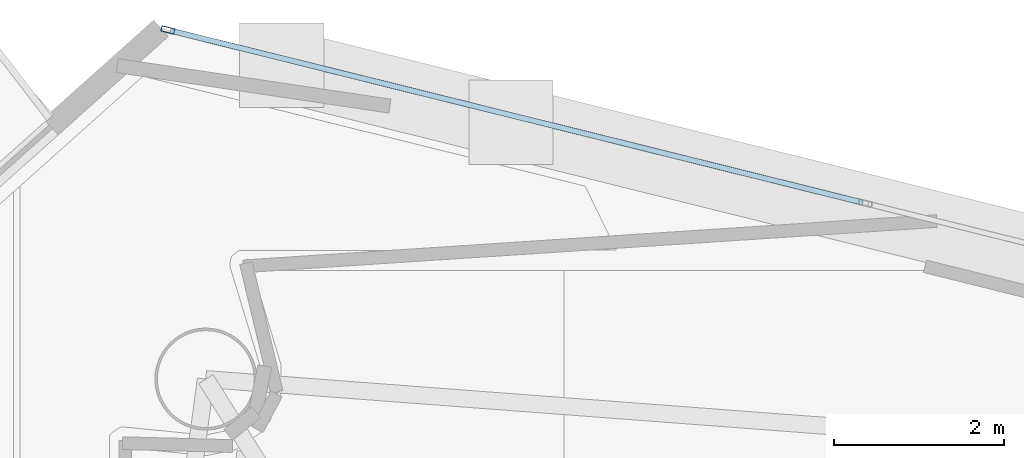
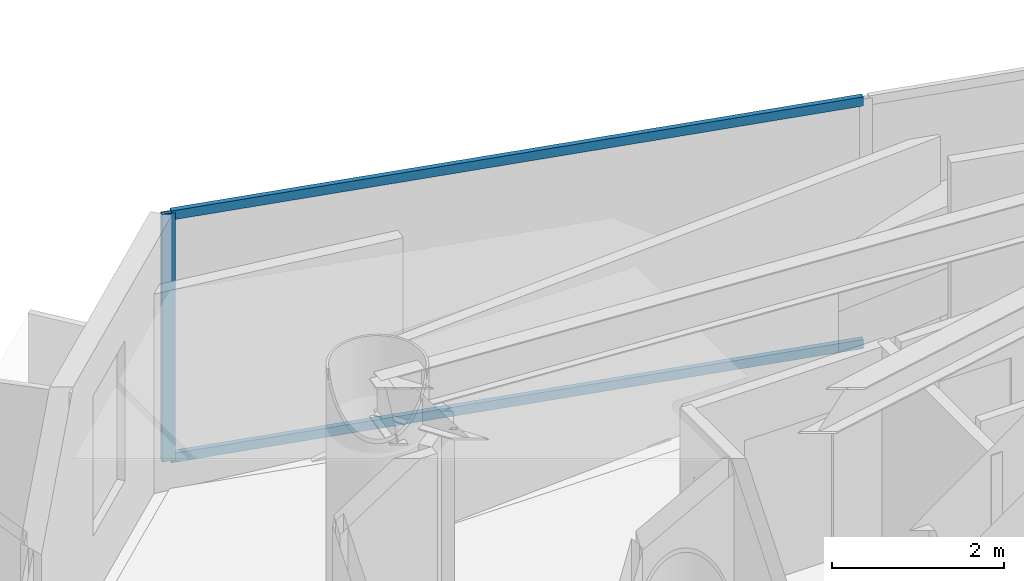
# One storey, part 17 of 23: 3 members, 1 element without a shape of its own.
"""IFC4 building model written with IfcOpenShell, lengths in metres."""

from ifc_helpers import new_model, si_unit, direction, frame, origin, origin_2d, place, context, subcontext, project, spatial, hollow_rectangle, extrude, material, layer, layer_set, material_profile, profile_set, type_object, element, aggregate, save


model = new_model("IFC4")

# Units and contexts
model_context = context("Model", 3, precision=1e-05, world=origin(), true_north=direction((0.0, 1.0)))
body_context = subcontext(model_context, "Body", "Model", "MODEL_VIEW")
ifc_project = project(units=[si_unit("LENGTHUNIT", "METRE"), si_unit("AREAUNIT", "SQUARE_METRE"), si_unit("VOLUMEUNIT", "CUBIC_METRE"), si_unit("PLANEANGLEUNIT", "RADIAN"), si_unit("MASSUNIT", "GRAM", prefix="KILO")], contexts=[model_context])

# Site, building, storey
site_placement = place(None, origin())
site = spatial("IfcSite", under=ifc_project, at=site_placement, CompositionType="ELEMENT")
building_placement = place(site_placement, origin())
building = spatial("IfcBuilding", under=site, at=building_placement, Name="Qianvela Tower", CompositionType="ELEMENT")
storey_placement = place(building_placement, frame((0.0, 0.0, 192.89990234375)))
storey = spatial("IfcBuildingStorey", under=building, at=storey_placement, Name="L49", CompositionType="ELEMENT", Elevation=192.89990234375)

# Curtain wall, members
ifc_material_1 = material(Name="Anodised Architectural Aluminium and Insulated Spandrel Panel", Category="aluminium")
ifc_layer = layer(ifc_material_1, 0.179931640625)
ifc_layer_set = layer_set([ifc_layer], Name="Anodised Architectural Aluminium and Insulated Spandrel Panel")
curtain_wall_type = type_object("IfcCurtainWallType", Name="CW-BRACEBAY", PredefinedType="USERDEFINED", material=ifc_layer_set)
curtain_wall_placement = place(storey_placement, origin())
curtain_wall = element("IfcCurtainWall", 1, at=curtain_wall_placement, inside=storey, type_object=curtain_wall_type, Name="L49 CW-BRACEBAY Curtain Wall 02B", ObjectType="CURTAIN_WALL_SYSTEM", PredefinedType="USERDEFINED")
ifc_material_2 = material(Name="Anodised Architectural Aluminium 6063-T6", Category="aluminium")
ifc_material_profile_1 = material_profile(ifc_material_2, hollow_rectangle(XDim=0.06494140625, YDim=0.159912109375, WallThickness=0.0048828125, at=origin_2d()), Name="ALU-MULL-65x160")
ifc_profile_set_1 = profile_set([ifc_material_profile_1], Name="Anodised Architectural Aluminium 6063-T6")
member_type_1 = type_object("IfcMemberType", Name="CW-BRACEBAY-MULL", PredefinedType="MULLION", material=ifc_profile_set_1)
member_1_placement = place(storey_placement, frame((25.983154296875, 41.10205078125, 0.0), z_axis=(0.0, 0.0, 1.0), x_axis=(-0.241124089364, -0.970494293403, 0.0)))
member_1 = element("IfcMember", 2, at=member_1_placement, type_object=member_type_1, Name="CW-9 mullion 3", PredefinedType="MULLION", context=body_context, shape_type="SweptSolid", body=[
    extrude(hollow_rectangle(XDim=0.06494140625, YDim=0.159912109375, WallThickness=0.0048828125, at=origin_2d()), origin(), (0.0, 0.0, 1.0), 3.52001953125),
])
ifc_material_3 = material(Name="Anodised Architectural Aluminium 6063-T6", Category="aluminium")
ifc_material_profile_2 = material_profile(ifc_material_3, hollow_rectangle(XDim=0.06494140625, YDim=0.1298828125, WallThickness=0.00439453125, at=origin_2d()), Name="ALU-TRAN-65x130")
ifc_profile_set_2 = profile_set([ifc_material_profile_2], Name="Anodised Architectural Aluminium 6063-T6")
member_type_2 = type_object("IfcMemberType", Name="CW-BRACEBAY-TRAN", PredefinedType="USERDEFINED", material=ifc_profile_set_2)
member_2_placement = place(storey_placement, frame((34.1640625, 39.069580078125, 0.03271484375), z_axis=(-0.970497188161, 0.241112438029, 0.0), x_axis=(-0.241112438029, -0.970497188161, 0.0)))
member_2 = element("IfcMember", 3, at=member_2_placement, type_object=member_type_2, Name="CW-9 transom 2.1", ObjectType="TRANSOM", PredefinedType="USERDEFINED", context=body_context, shape_type="SweptSolid", body=[
    extrude(hollow_rectangle(XDim=0.06494140625, YDim=0.1298828125, WallThickness=0.00439453125, at=origin_2d()), origin(), (0.0, 0.0, 1.0), 8.397216796875),
])
member_3_placement = place(storey_placement, frame((34.1640625, 39.069580078125, 3.487548828125), z_axis=(-0.970497188161, 0.241112438029, 0.0), x_axis=(-0.241112438029, -0.970497188161, 0.0)))
member_3 = element("IfcMember", 4, at=member_3_placement, type_object=member_type_2, Name="CW-9 transom 2.2", ObjectType="TRANSOM", PredefinedType="USERDEFINED", context=body_context, shape_type="SweptSolid", body=[
    extrude(hollow_rectangle(XDim=0.06494140625, YDim=0.1298828125, WallThickness=0.00439453125, at=origin_2d()), origin(), (0.0, 0.0, 1.0), 8.397216796875),
])
aggregate(curtain_wall, [member_1, member_2, member_3])

save(model, "model.ifc")
